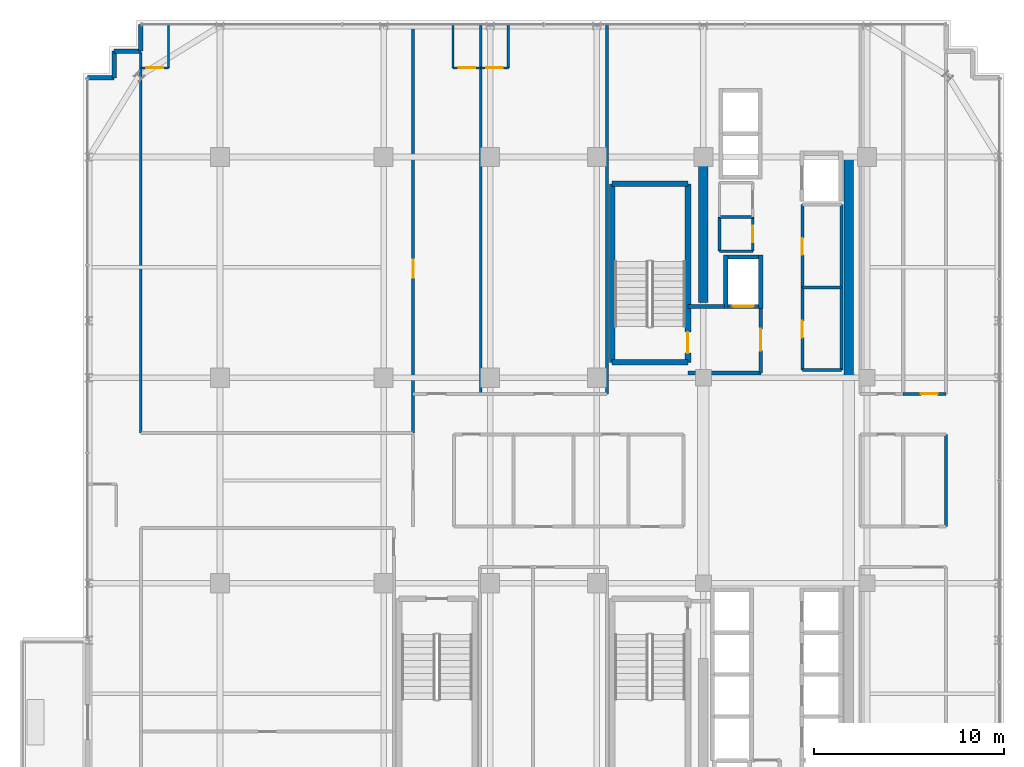
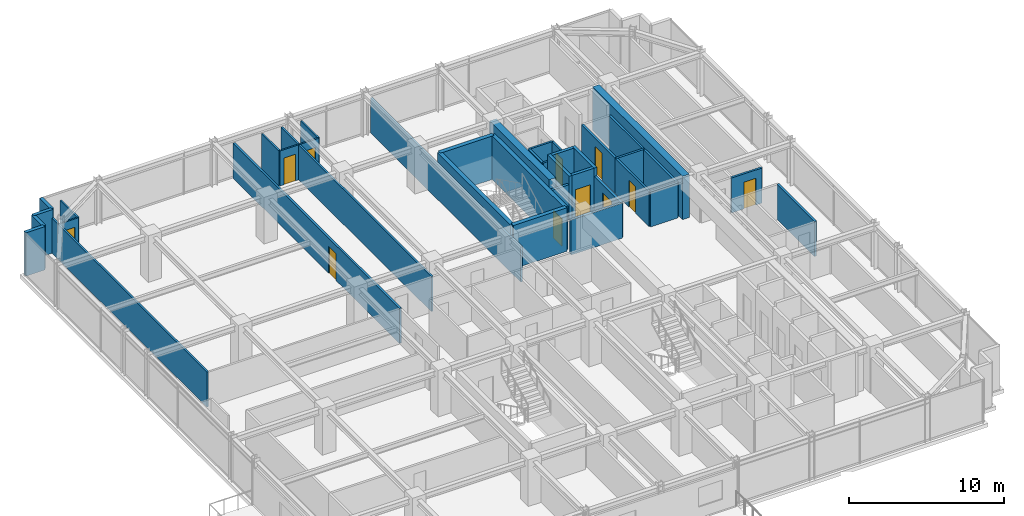
# One storey, part 28 of 32: 39 walls, 11 doors, 11 openings.
"""IFC4 building model written with IfcOpenShell, lengths in metres."""

from ifc_helpers import new_model, si_unit, direction, frame, frame_2d, origin, place, context, subcontext, project, spatial, rectangle, extrude, source, transform, mapped, material, layer, layer_set, type_object, element, fill, save


model = new_model("IFC4")

# Units and contexts
model_context = context("Model", 3, precision=1e-05, world=origin(), true_north=direction((0.0, 1.0)))
body_context = subcontext(model_context, "Body", "Model", "MODEL_VIEW")
ifc_project = project(units=[si_unit("LENGTHUNIT", "METRE"), si_unit("AREAUNIT", "SQUARE_METRE"), si_unit("VOLUMEUNIT", "CUBIC_METRE"), si_unit("PLANEANGLEUNIT", "RADIAN"), si_unit("MASSUNIT", "GRAM", prefix="KILO")], contexts=[model_context])

# Site, building, storey
site_placement = place(None, origin())
site = spatial("IfcSite", under=ifc_project, at=site_placement, CompositionType="ELEMENT")
building_placement = place(site_placement, origin())
building = spatial("IfcBuilding", under=site, at=building_placement, Name="Nahalor Promenade Grand Hotel", CompositionType="ELEMENT")
storey_placement = place(building_placement, frame((0.0, 0.0, 230.800048828125)))
storey = spatial("IfcBuildingStorey", under=building, at=storey_placement, Name="L59", CompositionType="ELEMENT", Elevation=230.800048828125)

# Walls
ifc_material_1 = material(Name="Concrete B-60 (C50/60)", Category="concrete")
ifc_layer_1 = layer(ifc_material_1, 0.5)
ifc_layer_set_1 = layer_set([ifc_layer_1], Name="Concrete B-60 (C50/60)")
wall_type_1 = type_object("IfcWallType", Name="Wall-CoreShear-500", PredefinedType="SHEAR", material=ifc_layer_set_1)
shared_shape_1 = source(origin(), body_context, "Body", "SweptSolid", [
    extrude(rectangle(XDim=7.64990234375, YDim=0.5, at=frame_2d((3.824951171875, 0.0))), origin(), (0.0, 0.0, 1.0), 3.409912109375),
])
wall_1_placement = place(storey_placement, frame((8.39990234375, 9.35009765625, 0.0), z_axis=(0.0, 0.0, 1.0), x_axis=(0.0, 1.0, 0.0)))
element("IfcWall", 1, at=wall_1_placement, inside=storey, type_object=wall_type_1, Name="CWALL-L59-NW", PredefinedType="SHEAR", context=body_context, shape_type="MappedRepresentation", body=[
    mapped(shared_shape_1, transform((0.0, 0.0, 0.0), scale=1.0)),
])
shared_shape_2 = source(origin(), body_context, "Body", "SweptSolid", [
    extrude(rectangle(XDim=11.60009765625, YDim=0.5, at=frame_2d((5.800048828125, 0.0))), origin(), (0.0, 0.0, 1.0), 3.409912109375),
])
wall_2_placement = place(storey_placement, frame((16.050048828125, 5.39990234375, 0.0), z_axis=(0.0, 0.0, 1.0), x_axis=(0.0, 1.0, 0.0)))
element("IfcWall", 2, at=wall_2_placement, inside=storey, type_object=wall_type_1, Name="CWALL-L59-NE", PredefinedType="SHEAR", context=body_context, shape_type="MappedRepresentation", body=[
    mapped(shared_shape_2, transform((0.0, 0.0, 0.0), scale=1.0)),
])
ifc_material_2 = material(Name="Concrete B-50 (C40/50)", Category="concrete")
ifc_layer_2 = layer(ifc_material_2, 0.300048828125)
ifc_layer_set_2 = layer_set([ifc_layer_2], Name="Concrete B-50 (C40/50)")
wall_type_2 = type_object("IfcWallType", Name="Wall-ShaftShear-300", PredefinedType="SHEAR", material=ifc_layer_set_2)
shared_shape_3 = source(origin(), body_context, "Body", "SweptSolid", [
    extrude(rectangle(XDim=3.97998046875, YDim=0.300048828125, at=frame_2d((1.989990234375, 0.0))), origin(), (0.0, 0.0, 1.0), 3.409912109375),
])
for number, where, z_axis, x_axis, name in (
    (3, (3.610107421875, 6.2099609375, 0.0), (0.0, 0.0, 1.0), (1.0, 0.0, 0.0), "L59 Exit Stair ST1 Shaft Wall S"),
    (4, (3.610107421875, 15.590087890625, 0.0), (0.0, 0.0, 1.0), (1.0, 0.0, 0.0), "L59 Exit Stair ST1 Shaft Wall N"),
):
    element("IfcWall", number, at=place(storey_placement, frame(where, z_axis=z_axis, x_axis=x_axis)), inside=storey, type_object=wall_type_2, Name=name, PredefinedType="SHEAR", context=body_context, shape_type="MappedRepresentation", body=[
        mapped(shared_shape_3, transform((0.0, 0.0, 0.0), scale=1.0)),
    ])
shared_shape_4 = source(origin(), body_context, "Body", "SweptSolid", [
    extrude(rectangle(XDim=9.380126953125, YDim=0.300048828125, at=frame_2d((4.68994140625, 0.0))), origin(), (0.0, 0.0, 1.0), 3.409912109375),
])
wall_3_placement = place(storey_placement, frame((3.610107421875, 6.2099609375, 0.0), z_axis=(0.0, 0.0, 1.0), x_axis=(0.0, 1.0, 0.0)))
element("IfcWall", 5, at=wall_3_placement, inside=storey, type_object=wall_type_2, Name="L59 Exit Stair ST1 Shaft Wall W", PredefinedType="SHEAR", context=body_context, shape_type="MappedRepresentation", body=[
    mapped(shared_shape_4, transform((0.0, 0.0, 0.0), scale=1.0)),
])

# Wall, opening, door
wall_4_placement = place(storey_placement, frame((7.590087890625, 6.2099609375, 0.0), z_axis=(0.0, 0.0, 1.0), x_axis=(0.0, 1.0, 0.0)))
wall_4 = element("IfcWall", 6, at=wall_4_placement, inside=storey, type_object=wall_type_2, Name="L59 Exit Stair ST1 Shaft Wall E", PredefinedType="SHEAR", context=body_context, shape_type="MappedRepresentation", body=[
    mapped(shared_shape_4, transform((0.0, 0.0, 0.0), scale=1.0)),
])
opening_1_placement = place(wall_4_placement, frame((0.489990234375, 0.0, 0.0)))
opening_1 = element("IfcOpeningElement", 7, at=opening_1_placement, cuts=wall_4, Name="Opening D-ST1", PredefinedType="OPENING", context=body_context, shape_type="SweptSolid", body=[
    extrude(rectangle(XDim=1.10009765625, YDim=2.14990234375, at=frame_2d((0.550048828125, 1.074951171875))), frame((0.0, 0.159912109375, 0.0), z_axis=(0.0, -1.0, 0.0), x_axis=(1.0, 0.0, 0.0)), (0.0, 0.0, 1.0), 0.320068359375),
])
ifc_material_3 = material(Name="Steel S355JR", Category="steel")
door_type_1 = type_object("IfcDoorType", Name="Door-StairFire-1100", OperationType="NOTDEFINED", PredefinedType="DOOR", material=ifc_material_3)
shared_shape_5 = source(origin(), body_context, "Body", "SweptSolid", [
    extrude(rectangle(XDim=1.10009765625, YDim=2.14990234375, at=frame_2d((0.550048828125, 1.074951171875))), frame((0.0, 0.02490234375, 0.0), z_axis=(0.0, -1.0, 0.0), x_axis=(1.0, 0.0, 0.0)), (0.0, 0.0, 1.0), 0.050048828125),
])
door_1_placement = place(opening_1_placement, origin())
door_1 = element("IfcDoor", 8, at=door_1_placement, inside=storey, type_object=door_type_1, Name="DR-STAIR-ST1-L59", OperationType="SINGLE_SWING_RIGHT", OverallHeight=2.14990234375, OverallWidth=1.10009765625, PredefinedType="DOOR", context=body_context, shape_type="MappedRepresentation", body=[
    mapped(shared_shape_5, transform((0.0, 0.0, 0.0), scale=1.0)),
])
fill(opening_1, door_1)

# Walls
ifc_layer_3 = layer(ifc_material_2, 0.219970703125)
ifc_layer_set_3 = layer_set([ifc_layer_3], Name="Concrete B-50 (C40/50)")
wall_type_3 = type_object("IfcWallType", Name="Wall-LiftShaft-220", PredefinedType="SHEAR", material=ifc_layer_set_3)
shared_shape_6 = source(origin(), body_context, "Body", "SweptSolid", [
    extrude(rectangle(XDim=2.820068359375, YDim=0.219970703125, at=frame_2d((1.41015625, 0.0))), origin(), (0.0, 0.0, 1.0), 3.409912109375),
])
for number, where, z_axis, x_axis, name in (
    (9, (9.580078125, 9.0400390625, 0.0), (0.0, 0.0, 1.0), (0.0, 1.0, 0.0), "L59 Lift FL1 Hoistway Wall W"),
    (10, (11.419921875, 9.0400390625, 0.0), (0.0, 0.0, 1.0), (0.0, 1.0, 0.0), "L59 Lift FL1 Hoistway Wall E"),
):
    element("IfcWall", number, at=place(storey_placement, frame(where, z_axis=z_axis, x_axis=x_axis)), inside=storey, type_object=wall_type_3, Name=name, PredefinedType="SHEAR", context=body_context, shape_type="MappedRepresentation", body=[
        mapped(shared_shape_6, transform((0.0, 0.0, 0.0), scale=1.0)),
    ])

# Wall, opening, door
shared_shape_7 = source(origin(), body_context, "Body", "SweptSolid", [
    extrude(rectangle(XDim=1.6201171875, YDim=0.219970703125, at=frame_2d((0.81005859375, 0.0))), origin(), (0.0, 0.0, 1.0), 3.409912109375),
])
wall_5_placement = place(storey_placement, frame((9.68994140625, 9.14990234375, 0.0), z_axis=(0.0, 0.0, 1.0), x_axis=(1.0, 0.0, 0.0)))
wall_5 = element("IfcWall", 11, at=wall_5_placement, inside=storey, type_object=wall_type_3, Name="L59 Lift FL1 Hoistway Wall S", PredefinedType="SHEAR", context=body_context, shape_type="MappedRepresentation", body=[
    mapped(shared_shape_7, transform((0.0, 0.0, 0.0), scale=1.0)),
])
opening_2_placement = place(wall_5_placement, frame((0.260009765625, 0.0, 0.0)))
opening_2 = element("IfcOpeningElement", 12, at=opening_2_placement, cuts=wall_5, Name="Opening LD-02", PredefinedType="OPENING", context=body_context, shape_type="SweptSolid", body=[
    extrude(rectangle(XDim=1.10009765625, YDim=2.199951171875, at=frame_2d((0.550048828125, 1.10009765625))), frame((0.0, 0.119873046875, 0.0), z_axis=(0.0, -1.0, 0.0), x_axis=(1.0, 0.0, 0.0)), (0.0, 0.0, 1.0), 0.239990234375),
])
door_type_2 = type_object("IfcDoorType", Name="Door-LiftFF-1100", OperationType="DOUBLE_DOOR_SLIDING", PredefinedType="DOOR", material=ifc_material_3)
shared_shape_8 = source(origin(), body_context, "Body", "SweptSolid", [
    extrude(rectangle(XDim=1.10009765625, YDim=2.199951171875, at=frame_2d((0.550048828125, 1.10009765625))), frame((0.0, 0.02490234375, 0.0), z_axis=(0.0, -1.0, 0.0), x_axis=(1.0, 0.0, 0.0)), (0.0, 0.0, 1.0), 0.050048828125),
])
door_2_placement = place(opening_2_placement, frame((1.10009765625, 0.0, 0.0), z_axis=(0.0, 0.0, 1.0), x_axis=(-1.0, 0.0, 0.0)))
door_2 = element("IfcDoor", 13, at=door_2_placement, inside=storey, type_object=door_type_2, Name="DR-LIFT-FL1-L59", OperationType="DOUBLE_DOOR_SLIDING", OverallHeight=2.199951171875, OverallWidth=1.10009765625, PredefinedType="DOOR", context=body_context, shape_type="MappedRepresentation", body=[
    mapped(shared_shape_8, transform((0.0, 0.0, 0.0), scale=1.0)),
])
fill(opening_2, door_2)

# Walls
wall_6_placement = place(storey_placement, frame((9.68994140625, 11.75, 0.0), z_axis=(0.0, 0.0, 1.0), x_axis=(1.0, 0.0, 0.0)))
element("IfcWall", 14, at=wall_6_placement, inside=storey, type_object=wall_type_3, Name="L59 Lift FL1 Hoistway Wall N", PredefinedType="SHEAR", context=body_context, shape_type="MappedRepresentation", body=[
    mapped(shared_shape_7, transform((0.0, 0.0, 0.0), scale=1.0)),
])
ifc_material_4 = material(Name="Concrete B-40 (C32/40)", Category="concrete")
ifc_layer_4 = layer(ifc_material_4, 0.25)
ifc_layer_set_4 = layer_set([ifc_layer_4], Name="Concrete B-40 (C32/40)")
wall_type_4 = type_object("IfcWallType", Name="Wall-BronzePier-250", PredefinedType="STANDARD", material=ifc_layer_set_4)
shared_shape_9 = source(origin(), body_context, "Body", "SweptSolid", [
    extrude(rectangle(XDim=1.39990234375, YDim=0.25, at=frame_2d((0.699951171875, 0.0))), origin(), (0.0, 0.0, 1.0), 3.409912109375),
])
for number, where, z_axis, x_axis, name in (
    (15, (-21.159912109375, 22.56005859375, 0.0), (0.0, 0.0, 1.0), (0.0, 1.0, 0.0), "W-L59-SR-09"),
    (16, (-23.9599609375, 21.159912109375, 0.0), (0.0, 0.0, 1.0), (1.0, 0.0, 0.0), "W-L59-SR-12"),
):
    element("IfcWall", number, at=place(storey_placement, frame(where, z_axis=z_axis, x_axis=x_axis)), inside=storey, type_object=wall_type_4, Name=name, PredefinedType="STANDARD", context=body_context, shape_type="MappedRepresentation", body=[
        mapped(shared_shape_9, transform((0.0, 0.0, 0.0), scale=1.0)),
    ])
shared_shape_10 = source(origin(), body_context, "Body", "SweptSolid", [
    extrude(rectangle(XDim=1.400146484375, YDim=0.25, at=frame_2d((0.7001953125, 0.0))), origin(), (0.0, 0.0, 1.0), 3.409912109375),
])
for number, where, z_axis, x_axis, name in (
    (17, (-22.56005859375, 22.56005859375, 0.0), (0.0, 0.0, 1.0), (1.0, 0.0, 0.0), "W-L59-SR-10"),
    (18, (-22.56005859375, 21.159912109375, 0.0), (0.0, 0.0, 1.0), (0.0, 1.0, 0.0), "W-L59-SR-11"),
):
    element("IfcWall", number, at=place(storey_placement, frame(where, z_axis=z_axis, x_axis=x_axis)), inside=storey, type_object=wall_type_4, Name=name, PredefinedType="STANDARD", context=body_context, shape_type="MappedRepresentation", body=[
        mapped(shared_shape_10, transform((0.0, 0.0, 0.0), scale=1.0)),
    ])
ifc_layer_5 = layer(ifc_material_4, 0.199951171875)
ifc_layer_set_5 = layer_set([ifc_layer_5], Name="Concrete B-40 (C32/40)")
wall_type_5 = type_object("IfcWallType", Name="Wall-PartFire-200", PredefinedType="PARTITIONING", material=ifc_layer_set_5)
shared_shape_11 = source(origin(), body_context, "Body", "SweptSolid", [
    extrude(rectangle(XDim=3.81982421875, YDim=0.199951171875, at=frame_2d((1.909912109375, 0.0))), origin(), (0.0, 0.0, 1.0), 2.75),
])
wall_7_placement = place(storey_placement, frame((7.60009765625, 5.64990234375, 0.0), z_axis=(0.0, 0.0, 1.0), x_axis=(1.0, 0.0, 0.0)))
element("IfcWall", 19, at=wall_7_placement, inside=storey, type_object=wall_type_5, Name="W-L59-FF1-S", PredefinedType="PARTITIONING", context=body_context, shape_type="MappedRepresentation", body=[
    mapped(shared_shape_11, transform((0.0, 0.0, 0.0), scale=1.0)),
])
shared_shape_12 = source(origin(), body_context, "Body", "SweptSolid", [
    extrude(rectangle(XDim=1.89990234375, YDim=0.199951171875, at=frame_2d((0.949951171875, 0.0))), origin(), (0.0, 0.0, 1.0), 2.75),
])
wall_8_placement = place(storey_placement, frame((7.60009765625, 9.14990234375, 0.0), z_axis=(0.0, 0.0, 1.0), x_axis=(1.0, 0.0, 0.0)))
element("IfcWall", 20, at=wall_8_placement, inside=storey, type_object=wall_type_5, Name="W-L59-FF1-N", PredefinedType="PARTITIONING", context=body_context, shape_type="MappedRepresentation", body=[
    mapped(shared_shape_12, transform((0.0, 0.0, 0.0), scale=1.0)),
])

# Wall, opening, door
shared_shape_13 = source(origin(), body_context, "Body", "SweptSolid", [
    extrude(rectangle(XDim=3.5, YDim=0.199951171875, at=frame_2d((1.75, 0.0))), origin(), (0.0, 0.0, 1.0), 2.75),
])
wall_9_placement = place(storey_placement, frame((11.419921875, 5.64990234375, 0.0), z_axis=(0.0, 0.0, 1.0), x_axis=(0.0, 1.0, 0.0)))
wall_9 = element("IfcWall", 21, at=wall_9_placement, inside=storey, type_object=wall_type_5, Name="W-L59-FF1-E", PredefinedType="PARTITIONING", context=body_context, shape_type="MappedRepresentation", body=[
    mapped(shared_shape_13, transform((0.0, 0.0, 0.0), scale=1.0)),
])
opening_3_placement = place(wall_9_placement, frame((1.175048828125, 0.0, 0.0)))
opening_3 = element("IfcOpeningElement", 22, at=opening_3_placement, cuts=wall_9, Name="Opening D-FF1", PredefinedType="OPENING", context=body_context, shape_type="SweptSolid", body=[
    extrude(rectangle(XDim=1.14990234375, YDim=2.14990234375, at=frame_2d((0.574951171875, 1.074951171875))), frame((0.0, 0.10986328125, 0.0), z_axis=(0.0, -1.0, 0.0), x_axis=(1.0, 0.0, 0.0)), (0.0, 0.0, 1.0), 0.219970703125),
])
door_type_3 = type_object("IfcDoorType", Name="Door-FFLobby-1150", OperationType="NOTDEFINED", PredefinedType="DOOR", material=ifc_material_3)
shared_shape_14 = source(origin(), body_context, "Body", "SweptSolid", [
    extrude(rectangle(XDim=1.14990234375, YDim=2.14990234375, at=frame_2d((0.574951171875, 1.074951171875))), frame((0.0, 0.02490234375, 0.0), z_axis=(0.0, -1.0, 0.0), x_axis=(1.0, 0.0, 0.0)), (0.0, 0.0, 1.0), 0.050048828125),
])
door_3_placement = place(opening_3_placement, frame((1.14990234375, 0.0, 0.0), z_axis=(0.0, 0.0, 1.0), x_axis=(-1.0, 0.0, 0.0)))
door_3 = element("IfcDoor", 23, at=door_3_placement, inside=storey, type_object=door_type_3, Name="DR-L59-FFL1", OperationType="SINGLE_SWING_RIGHT", OverallHeight=2.14990234375, OverallWidth=1.14990234375, PredefinedType="DOOR", context=body_context, shape_type="MappedRepresentation", body=[
    mapped(shared_shape_14, transform((0.0, 0.0, 0.0), scale=1.0)),
])
fill(opening_3, door_3)

# Walls
ifc_material_5 = material(Name="Acoustic Mineral Gypsum", Category="gypsum")
ifc_layer_6 = layer(ifc_material_5, 0.14990234375)
ifc_layer_set_6 = layer_set([ifc_layer_6], Name="Acoustic Mineral Gypsum")
wall_type_6 = type_object("IfcWallType", Name="Wall-PartService-150", PredefinedType="PARTITIONING", material=ifc_layer_set_6)
shared_shape_15 = source(origin(), body_context, "Body", "SweptSolid", [
    extrude(rectangle(XDim=1.75, YDim=0.14990234375, at=frame_2d((0.875, 0.0))), origin(), (0.0, 0.0, 1.0), 2.75),
])
for number, where, z_axis, x_axis, name in (
    (24, (9.25, 12.050048828125, 0.0), (0.0, 0.0, 1.0), (1.0, 0.0, 0.0), "W-L59-CK2A-S"),
    (25, (9.25, 13.85009765625, 0.0), (0.0, 0.0, 1.0), (1.0, 0.0, 0.0), "W-L59-CK2A-N"),
):
    element("IfcWall", number, at=place(storey_placement, frame(where, z_axis=z_axis, x_axis=x_axis)), inside=storey, type_object=wall_type_6, Name=name, PredefinedType="PARTITIONING", context=body_context, shape_type="MappedRepresentation", body=[
        mapped(shared_shape_15, transform((0.0, 0.0, 0.0), scale=1.0)),
    ])
ifc_layer_7 = layer(ifc_material_5, 0.159912109375)
ifc_layer_set_7 = layer_set([ifc_layer_7], Name="Acoustic Mineral Gypsum")
wall_type_7 = type_object("IfcWallType", Name="Wall-PartCorridor-160", PredefinedType="PARTITIONING", material=ifc_layer_set_7)
shared_shape_16 = source(origin(), body_context, "Body", "SweptSolid", [
    extrude(rectangle(XDim=2.0498046875, YDim=0.159912109375, at=frame_2d((1.02490234375, 0.0))), origin(), (0.0, 0.0, 1.0), 2.75),
])
for number, where, z_axis, x_axis, name in (
    (26, (13.60009765625, 5.800048828125, 0.0), (0.0, 0.0, 1.0), (1.0, 0.0, 0.0), "W-L59-FRB1A-S"),
    (27, (13.60009765625, 10.14990234375, 0.0), (0.0, 0.0, 1.0), (1.0, 0.0, 0.0), "W-L59-FRB1A-N"),
):
    element("IfcWall", number, at=place(storey_placement, frame(where, z_axis=z_axis, x_axis=x_axis)), inside=storey, type_object=wall_type_7, Name=name, PredefinedType="PARTITIONING", context=body_context, shape_type="MappedRepresentation", body=[
        mapped(shared_shape_16, transform((0.0, 0.0, 0.0), scale=1.0)),
    ])

# Wall, opening, door
shared_shape_17 = source(origin(), body_context, "Body", "SweptSolid", [
    extrude(rectangle(XDim=2.2548828125, YDim=0.159912109375, at=frame_2d((1.12744140625, 0.0))), origin(), (0.0, 0.0, 1.0), 2.75),
])
wall_10_placement = place(storey_placement, frame((18.905029296875, 4.550048828125, 0.0), z_axis=(0.0, 0.0, 1.0), x_axis=(1.0, 0.0, 0.0)))
wall_10 = element("IfcWall", 28, at=wall_10_placement, inside=storey, type_object=wall_type_7, Name="W-L59-ENE2-S", PredefinedType="PARTITIONING", context=body_context, shape_type="MappedRepresentation", body=[
    mapped(shared_shape_17, transform((0.0, 0.0, 0.0), scale=1.0)),
])
opening_4_placement = place(wall_10_placement, frame((0.924072265625, 0.0, 0.0)))
opening_4 = element("IfcOpeningElement", 29, at=opening_4_placement, cuts=wall_10, Name="Opening D-03", PredefinedType="OPENING", context=body_context, shape_type="SweptSolid", body=[
    extrude(rectangle(XDim=0.8798828125, YDim=2.10009765625, at=frame_2d((0.43994140625, 1.050048828125))), frame((0.0, 0.08984375, 0.0), z_axis=(0.0, -1.0, 0.0), x_axis=(1.0, 0.0, 0.0)), (0.0, 0.0, 1.0), 0.179931640625),
])
ifc_material_6 = material(Name="Fire-Rated Timber Composite", Category="wood")
door_type_4 = type_object("IfcDoorType", Name="Door-BathSwing-880", OperationType="NOTDEFINED", PredefinedType="DOOR", material=ifc_material_6)
shared_shape_18 = source(origin(), body_context, "Body", "SweptSolid", [
    extrude(rectangle(XDim=0.8798828125, YDim=2.10009765625, at=frame_2d((0.43994140625, 1.050048828125))), frame((0.0, 0.02490234375, 0.0), z_axis=(0.0, -1.0, 0.0), x_axis=(1.0, 0.0, 0.0)), (0.0, 0.0, 1.0), 0.050048828125),
])
door_4_placement = place(opening_4_placement, origin())
door_4 = element("IfcDoor", 30, at=door_4_placement, inside=storey, type_object=door_type_4, Name="DR-L59-ENE2", OperationType="SINGLE_SWING_LEFT", OverallHeight=2.10009765625, OverallWidth=0.8798828125, PredefinedType="DOOR", context=body_context, shape_type="MappedRepresentation", body=[
    mapped(shared_shape_18, transform((0.0, 0.0, 0.0), scale=1.0)),
])
fill(opening_4, door_4)

shared_shape_19 = source(origin(), body_context, "Body", "SweptSolid", [
    extrude(rectangle(XDim=21.39990234375, YDim=0.159912109375, at=frame_2d((10.699951171875, 0.0))), origin(), (0.0, 0.0, 1.0), 2.75),
])
wall_11_placement = place(storey_placement, frame((-6.85009765625, 2.5, 0.0), z_axis=(0.0, 0.0, 1.0), x_axis=(0.0, 1.0, 0.0)))
wall_11 = element("IfcWall", 31, at=wall_11_placement, inside=storey, type_object=wall_type_7, Name="W-L59-ZNW-E", PredefinedType="PARTITIONING", context=body_context, shape_type="MappedRepresentation", body=[
    mapped(shared_shape_19, transform((0.0, 0.0, 0.0), scale=1.0)),
])
opening_5_placement = place(wall_11_placement, frame((8.14990234375, 0.0, 0.0)))
opening_5 = element("IfcOpeningElement", 32, at=opening_5_placement, cuts=wall_11, Name="Opening D-01", PredefinedType="OPENING", context=body_context, shape_type="SweptSolid", body=[
    extrude(rectangle(XDim=0.949951171875, YDim=2.10009765625, at=frame_2d((0.47509765625, 1.050048828125))), frame((0.0, 0.08984375, 0.0), z_axis=(0.0, -1.0, 0.0), x_axis=(1.0, 0.0, 0.0)), (0.0, 0.0, 1.0), 0.179931640625),
])
door_type_5 = type_object("IfcDoorType", Name="Door-GuestEntry-950", OperationType="NOTDEFINED", PredefinedType="DOOR", material=ifc_material_6)
shared_shape_20 = source(origin(), body_context, "Body", "SweptSolid", [
    extrude(rectangle(XDim=0.949951171875, YDim=2.10009765625, at=frame_2d((0.47509765625, 1.050048828125))), frame((0.0, 0.02490234375, 0.0), z_axis=(0.0, -1.0, 0.0), x_axis=(1.0, 0.0, 0.0)), (0.0, 0.0, 1.0), 0.050048828125),
])
door_5_placement = place(opening_5_placement, origin())
door_5 = element("IfcDoor", 33, at=door_5_placement, inside=storey, type_object=door_type_5, Name="DR-L59-NW0-ENT", OperationType="SINGLE_SWING_LEFT", OverallHeight=2.10009765625, OverallWidth=0.949951171875, PredefinedType="DOOR", context=body_context, shape_type="MappedRepresentation", body=[
    mapped(shared_shape_20, transform((0.0, 0.0, 0.0), scale=1.0)),
])
fill(opening_5, door_5)

# Wall
ifc_layer_8 = layer(ifc_material_5, 0.139892578125)
ifc_layer_set_8 = layer_set([ifc_layer_8], Name="Acoustic Mineral Gypsum")
wall_type_8 = type_object("IfcWallType", Name="Wall-PartSuite-140", PredefinedType="PARTITIONING", material=ifc_layer_set_8)
shared_shape_21 = source(origin(), body_context, "Body", "SweptSolid", [
    extrude(rectangle(XDim=19.97998046875, YDim=0.139892578125, at=frame_2d((9.989990234375, 0.0))), origin(), (0.0, 0.0, 1.0), 2.75),
])
wall_12_placement = place(storey_placement, frame((-21.159912109375, 2.5, 0.0), z_axis=(0.0, 0.0, 1.0), x_axis=(0.0, 1.0, 0.0)))
element("IfcWall", 34, at=wall_12_placement, inside=storey, type_object=wall_type_8, Name="W-L59-ZNW-W", PredefinedType="PARTITIONING", context=body_context, shape_type="MappedRepresentation", body=[
    mapped(shared_shape_21, transform((0.0, 0.0, 0.0), scale=1.0)),
])

# Wall, opening, door
ifc_layer_9 = layer(ifc_material_5, 0.1201171875)
ifc_layer_set_9 = layer_set([ifc_layer_9], Name="Acoustic Mineral Gypsum")
wall_type_9 = type_object("IfcWallType", Name="Wall-PartBath-120", PredefinedType="PARTITIONING", material=ifc_layer_set_9)
shared_shape_22 = source(origin(), body_context, "Body", "SweptSolid", [
    extrude(rectangle(XDim=1.449951171875, YDim=0.1201171875, at=frame_2d((0.72509765625, 0.0))), origin(), (0.0, 0.0, 1.0), 2.75),
])
wall_13_placement = place(storey_placement, frame((-21.159912109375, 21.679931640625, 0.0), z_axis=(0.0, 0.0, 1.0), x_axis=(1.0, 0.0, 0.0)))
wall_13 = element("IfcWall", 35, at=wall_13_placement, inside=storey, type_object=wall_type_9, Name="W-L59-NW0-BH", PredefinedType="PARTITIONING", context=body_context, shape_type="MappedRepresentation", body=[
    mapped(shared_shape_22, transform((0.0, 0.0, 0.0), scale=1.0)),
])
opening_6_placement = place(wall_13_placement, frame((0.284912109375, 0.0, 0.0)))
opening_6 = element("IfcOpeningElement", 36, at=opening_6_placement, cuts=wall_13, Name="Opening D-03", PredefinedType="OPENING", context=body_context, shape_type="SweptSolid", body=[
    extrude(rectangle(XDim=0.8798828125, YDim=2.10009765625, at=frame_2d((0.43994140625, 1.050048828125))), frame((0.0, 0.070068359375, 0.0), z_axis=(0.0, -1.0, 0.0), x_axis=(1.0, 0.0, 0.0)), (0.0, 0.0, 1.0), 0.14013671875),
])
door_6_placement = place(opening_6_placement, origin())
door_6 = element("IfcDoor", 37, at=door_6_placement, inside=storey, type_object=door_type_4, Name="DR-L59-NW0-BATH", OperationType="SINGLE_SWING_RIGHT", OverallHeight=2.10009765625, OverallWidth=0.8798828125, PredefinedType="DOOR", context=body_context, shape_type="MappedRepresentation", body=[
    mapped(shared_shape_18, transform((0.0, 0.0, 0.0), scale=1.0)),
])
fill(opening_6, door_6)

wall_14_placement = place(storey_placement, frame((-4.75, 21.679931640625, 0.0), z_axis=(0.0, 0.0, 1.0), x_axis=(1.0, 0.0, 0.0)))
wall_14 = element("IfcWall", 38, at=wall_14_placement, inside=storey, type_object=wall_type_9, Name="W-L59-N1-BH", PredefinedType="PARTITIONING", context=body_context, shape_type="MappedRepresentation", body=[
    mapped(shared_shape_22, transform((0.0, 0.0, 0.0), scale=1.0)),
])
opening_7_placement = place(wall_14_placement, frame((0.284912109375, 0.0, 0.0)))
opening_7 = element("IfcOpeningElement", 39, at=opening_7_placement, cuts=wall_14, Name="Opening D-03", PredefinedType="OPENING", context=body_context, shape_type="SweptSolid", body=[
    extrude(rectangle(XDim=0.8798828125, YDim=2.10009765625, at=frame_2d((0.43994140625, 1.050048828125))), frame((0.0, 0.070068359375, 0.0), z_axis=(0.0, -1.0, 0.0), x_axis=(1.0, 0.0, 0.0)), (0.0, 0.0, 1.0), 0.14013671875),
])
door_7_placement = place(opening_7_placement, origin())
door_7 = element("IfcDoor", 40, at=door_7_placement, inside=storey, type_object=door_type_4, Name="DR-L59-N1-BATH", OperationType="SINGLE_SWING_RIGHT", OverallHeight=2.10009765625, OverallWidth=0.8798828125, PredefinedType="DOOR", context=body_context, shape_type="MappedRepresentation", body=[
    mapped(shared_shape_18, transform((0.0, 0.0, 0.0), scale=1.0)),
])
fill(opening_7, door_7)

wall_15_placement = place(storey_placement, frame((-3.300048828125, 21.679931640625, 0.0), z_axis=(0.0, 0.0, 1.0), x_axis=(1.0, 0.0, 0.0)))
wall_15 = element("IfcWall", 41, at=wall_15_placement, inside=storey, type_object=wall_type_9, Name="W-L59-N2-BH", PredefinedType="PARTITIONING", context=body_context, shape_type="MappedRepresentation", body=[
    mapped(shared_shape_22, transform((0.0, 0.0, 0.0), scale=1.0)),
])
opening_8_placement = place(wall_15_placement, frame((0.284912109375, 0.0, 0.0)))
opening_8 = element("IfcOpeningElement", 42, at=opening_8_placement, cuts=wall_15, Name="Opening D-03", PredefinedType="OPENING", context=body_context, shape_type="SweptSolid", body=[
    extrude(rectangle(XDim=0.8798828125, YDim=2.10009765625, at=frame_2d((0.43994140625, 1.050048828125))), frame((0.0, 0.070068359375, 0.0), z_axis=(0.0, -1.0, 0.0), x_axis=(1.0, 0.0, 0.0)), (0.0, 0.0, 1.0), 0.14013671875),
])
door_8_placement = place(opening_8_placement, origin())
door_8 = element("IfcDoor", 43, at=door_8_placement, inside=storey, type_object=door_type_4, Name="DR-L59-N2-BATH", OperationType="SINGLE_SWING_RIGHT", OverallHeight=2.10009765625, OverallWidth=0.8798828125, PredefinedType="DOOR", context=body_context, shape_type="MappedRepresentation", body=[
    mapped(shared_shape_18, transform((0.0, 0.0, 0.0), scale=1.0)),
])
fill(opening_8, door_8)

# Walls
shared_shape_23 = source(origin(), body_context, "Body", "SweptSolid", [
    extrude(rectangle(XDim=2.219970703125, YDim=0.1201171875, at=frame_2d((1.10986328125, 0.0))), origin(), (0.0, 0.0, 1.0), 2.75),
])
for number, where, z_axis, x_axis, name in (
    (44, (-19.7099609375, 21.679931640625, 0.0), (0.0, 0.0, 1.0), (0.0, 1.0, 0.0), "W-L59-NW0-BV"),
    (45, (-4.75, 21.679931640625, 0.0), (0.0, 0.0, 1.0), (0.0, 1.0, 0.0), "W-L59-N1-BV"),
    (46, (-1.85009765625, 21.679931640625, 0.0), (0.0, 0.0, 1.0), (0.0, 1.0, 0.0), "W-L59-N2-BV"),
):
    element("IfcWall", number, at=place(storey_placement, frame(where, z_axis=z_axis, x_axis=x_axis)), inside=storey, type_object=wall_type_9, Name=name, PredefinedType="PARTITIONING", context=body_context, shape_type="MappedRepresentation", body=[
        mapped(shared_shape_23, transform((0.0, 0.0, 0.0), scale=1.0)),
    ])
shared_shape_24 = source(origin(), body_context, "Body", "SweptSolid", [
    extrude(rectangle(XDim=19.349853515625, YDim=0.139892578125, at=frame_2d((9.6748046875, 0.0))), origin(), (0.0, 0.0, 1.0), 2.75),
])
for number, where, z_axis, x_axis, name in (
    (47, (3.340087890625, 4.550048828125, 0.0), (0.0, 0.0, 1.0), (0.0, 1.0, 0.0), "W-L59-NW-ENDE"),
    (48, (-3.300048828125, 4.550048828125, 0.0), (0.0, 0.0, 1.0), (0.0, 1.0, 0.0), "W-L59-NP-1"),
):
    element("IfcWall", number, at=place(storey_placement, frame(where, z_axis=z_axis, x_axis=x_axis)), inside=storey, type_object=wall_type_8, Name=name, PredefinedType="PARTITIONING", context=body_context, shape_type="MappedRepresentation", body=[
        mapped(shared_shape_24, transform((0.0, 0.0, 0.0), scale=1.0)),
    ])
shared_shape_25 = source(origin(), body_context, "Body", "SweptSolid", [
    extrude(rectangle(XDim=4.83984375, YDim=0.159912109375, at=frame_2d((2.419921875, 0.0))), origin(), (0.0, 0.0, 1.0), 2.75),
])
wall_16_placement = place(storey_placement, frame((21.159912109375, -2.419921875, 0.0), z_axis=(0.0, 0.0, 1.0), x_axis=(0.0, 1.0, 0.0)))
element("IfcWall", 49, at=wall_16_placement, inside=storey, type_object=wall_type_7, Name="W-L59-ECW2-E", PredefinedType="PARTITIONING", context=body_context, shape_type="MappedRepresentation", body=[
    mapped(shared_shape_25, transform((0.0, 0.0, 0.0), scale=1.0)),
])
shared_shape_26 = source(origin(), body_context, "Body", "SweptSolid", [
    extrude(rectangle(XDim=1.800048828125, YDim=0.14990234375, at=frame_2d((0.89990234375, 0.0))), origin(), (0.0, 0.0, 1.0), 2.75),
])
wall_17_placement = place(storey_placement, frame((9.25, 12.050048828125, 0.0), z_axis=(0.0, 0.0, 1.0), x_axis=(0.0, 1.0, 0.0)))
element("IfcWall", 50, at=wall_17_placement, inside=storey, type_object=wall_type_6, Name="W-L59-CK2A-W", PredefinedType="PARTITIONING", context=body_context, shape_type="MappedRepresentation", body=[
    mapped(shared_shape_26, transform((0.0, 0.0, 0.0), scale=1.0)),
])

# Wall, opening, door
wall_18_placement = place(storey_placement, frame((11.0, 12.050048828125, 0.0), z_axis=(0.0, 0.0, 1.0), x_axis=(0.0, 1.0, 0.0)))
wall_18 = element("IfcWall", 51, at=wall_18_placement, inside=storey, type_object=wall_type_6, Name="W-L59-CK2A-E", PredefinedType="PARTITIONING", context=body_context, shape_type="MappedRepresentation", body=[
    mapped(shared_shape_26, transform((0.0, 0.0, 0.0), scale=1.0)),
])
opening_9_placement = place(wall_18_placement, frame((0.4599609375, 0.0, 0.0)))
opening_9 = element("IfcOpeningElement", 52, at=opening_9_placement, cuts=wall_18, Name="Opening D-03", PredefinedType="OPENING", context=body_context, shape_type="SweptSolid", body=[
    extrude(rectangle(XDim=0.8798828125, YDim=2.10009765625, at=frame_2d((0.43994140625, 1.050048828125))), frame((0.0, 0.0849609375, 0.0), z_axis=(0.0, -1.0, 0.0), x_axis=(1.0, 0.0, 0.0)), (0.0, 0.0, 1.0), 0.169921875),
])
door_9_placement = place(opening_9_placement, origin())
door_9 = element("IfcDoor", 53, at=door_9_placement, inside=storey, type_object=door_type_4, Name="DR-L59-CK2A", OperationType="SINGLE_SWING_RIGHT", OverallHeight=2.10009765625, OverallWidth=0.8798828125, PredefinedType="DOOR", context=body_context, shape_type="MappedRepresentation", body=[
    mapped(shared_shape_18, transform((0.0, 0.0, 0.0), scale=1.0)),
])
fill(opening_9, door_9)

shared_shape_27 = source(origin(), body_context, "Body", "SweptSolid", [
    extrude(rectangle(XDim=4.349853515625, YDim=0.159912109375, at=frame_2d((2.1748046875, 0.0))), origin(), (0.0, 0.0, 1.0), 2.75),
])
wall_19_placement = place(storey_placement, frame((13.60009765625, 5.800048828125, 0.0), z_axis=(0.0, 0.0, 1.0), x_axis=(0.0, 1.0, 0.0)))
wall_19 = element("IfcWall", 54, at=wall_19_placement, inside=storey, type_object=wall_type_7, Name="W-L59-FRB1A-W", PredefinedType="PARTITIONING", context=body_context, shape_type="MappedRepresentation", body=[
    mapped(shared_shape_27, transform((0.0, 0.0, 0.0), scale=1.0)),
])
opening_10_placement = place(wall_19_placement, frame((1.7099609375, 0.0, 0.0)))
opening_10 = element("IfcOpeningElement", 55, at=opening_10_placement, cuts=wall_19, Name="Opening D-03", PredefinedType="OPENING", context=body_context, shape_type="SweptSolid", body=[
    extrude(rectangle(XDim=0.8798828125, YDim=2.10009765625, at=frame_2d((0.43994140625, 1.050048828125))), frame((0.0, 0.08984375, 0.0), z_axis=(0.0, -1.0, 0.0), x_axis=(1.0, 0.0, 0.0)), (0.0, 0.0, 1.0), 0.179931640625),
])
door_10_placement = place(opening_10_placement, frame((0.8798828125, 0.0, 0.0), z_axis=(0.0, 0.0, 1.0), x_axis=(-1.0, 0.0, 0.0)))
door_10 = element("IfcDoor", 56, at=door_10_placement, inside=storey, type_object=door_type_4, Name="DR-L59-FRB1A", OperationType="SINGLE_SWING_RIGHT", OverallHeight=2.10009765625, OverallWidth=0.8798828125, PredefinedType="DOOR", context=body_context, shape_type="MappedRepresentation", body=[
    mapped(shared_shape_18, transform((0.0, 0.0, 0.0), scale=1.0)),
])
fill(opening_10, door_10)

# Wall
wall_20_placement = place(storey_placement, frame((15.64990234375, 5.800048828125, 0.0), z_axis=(0.0, 0.0, 1.0), x_axis=(0.0, 1.0, 0.0)))
element("IfcWall", 57, at=wall_20_placement, inside=storey, type_object=wall_type_7, Name="W-L59-FRB1A-E", PredefinedType="PARTITIONING", context=body_context, shape_type="MappedRepresentation", body=[
    mapped(shared_shape_27, transform((0.0, 0.0, 0.0), scale=1.0)),
])

# Wall, opening, door
shared_shape_28 = source(origin(), body_context, "Body", "SweptSolid", [
    extrude(rectangle(XDim=4.35009765625, YDim=0.159912109375, at=frame_2d((2.175048828125, 0.0))), origin(), (0.0, 0.0, 1.0), 2.75),
])
wall_21_placement = place(storey_placement, frame((13.60009765625, 10.14990234375, 0.0), z_axis=(0.0, 0.0, 1.0), x_axis=(0.0, 1.0, 0.0)))
wall_21 = element("IfcWall", 58, at=wall_21_placement, inside=storey, type_object=wall_type_7, Name="W-L59-FRB1B-W", PredefinedType="PARTITIONING", context=body_context, shape_type="MappedRepresentation", body=[
    mapped(shared_shape_28, transform((0.0, 0.0, 0.0), scale=1.0)),
])
opening_11_placement = place(wall_21_placement, frame((1.7099609375, 0.0, 0.0)))
opening_11 = element("IfcOpeningElement", 59, at=opening_11_placement, cuts=wall_21, Name="Opening D-03", PredefinedType="OPENING", context=body_context, shape_type="SweptSolid", body=[
    extrude(rectangle(XDim=0.8798828125, YDim=2.10009765625, at=frame_2d((0.43994140625, 1.050048828125))), frame((0.0, 0.08984375, 0.0), z_axis=(0.0, -1.0, 0.0), x_axis=(1.0, 0.0, 0.0)), (0.0, 0.0, 1.0), 0.179931640625),
])
door_11_placement = place(opening_11_placement, frame((0.8798828125, 0.0, 0.0), z_axis=(0.0, 0.0, 1.0), x_axis=(-1.0, 0.0, 0.0)))
door_11 = element("IfcDoor", 60, at=door_11_placement, inside=storey, type_object=door_type_4, Name="DR-L59-FRB1B", OperationType="SINGLE_SWING_LEFT", OverallHeight=2.10009765625, OverallWidth=0.8798828125, PredefinedType="DOOR", context=body_context, shape_type="MappedRepresentation", body=[
    mapped(shared_shape_18, transform((0.0, 0.0, 0.0), scale=1.0)),
])
fill(opening_11, door_11)

# Wall
wall_22_placement = place(storey_placement, frame((15.64990234375, 10.14990234375, 0.0), z_axis=(0.0, 0.0, 1.0), x_axis=(0.0, 1.0, 0.0)))
element("IfcWall", 61, at=wall_22_placement, inside=storey, type_object=wall_type_7, Name="W-L59-FRB1B-E", PredefinedType="PARTITIONING", context=body_context, shape_type="MappedRepresentation", body=[
    mapped(shared_shape_28, transform((0.0, 0.0, 0.0), scale=1.0)),
])

save(model, "model.ifc")
